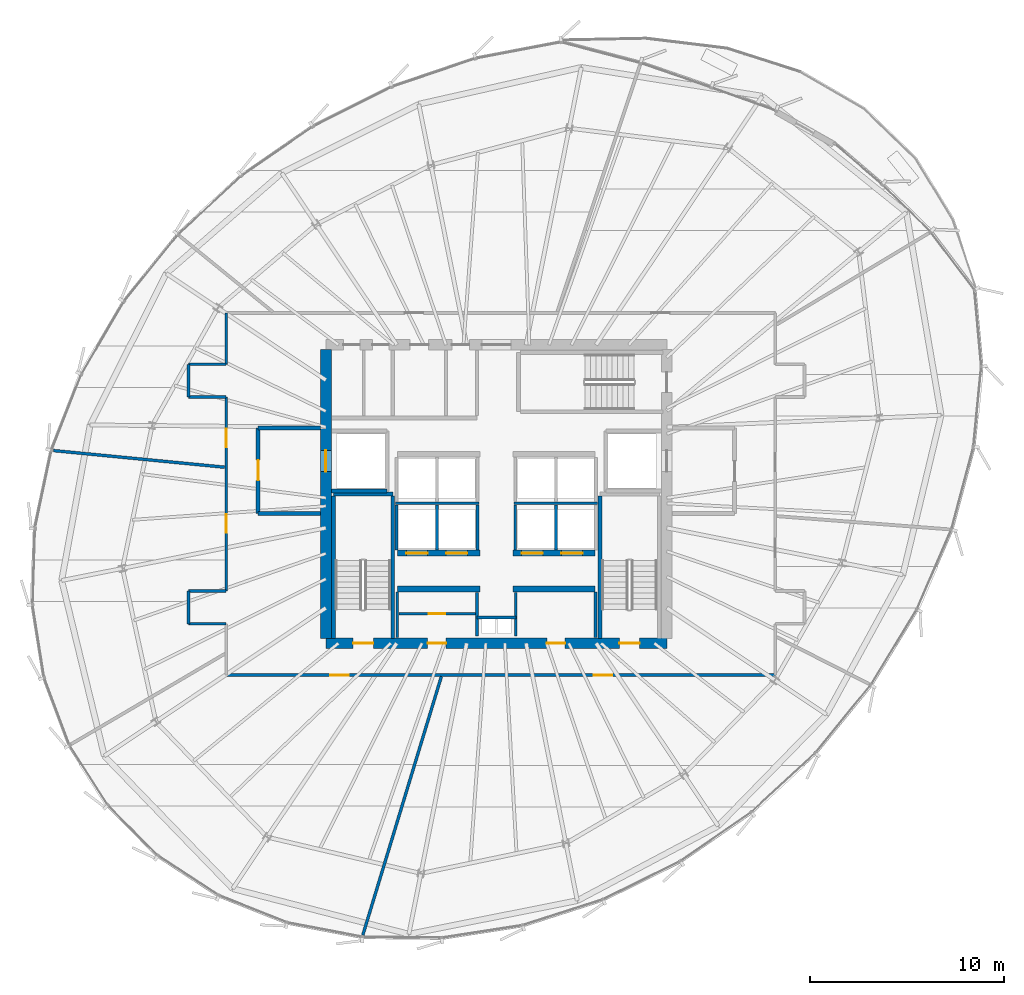
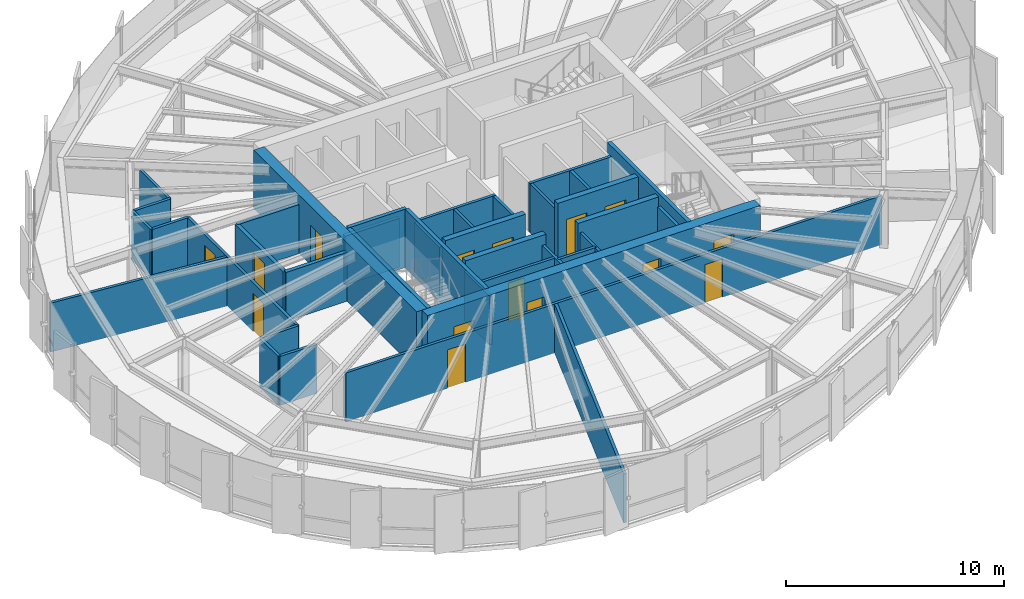
# One storey, part 29 of 34: 38 walls, 15 doors, 15 openings.
"""IFC4 building model written with IfcOpenShell, lengths in metres."""

import ifcopenshell
import ifcopenshell.guid

model = None  # the IFC model being written
_history = None  # IfcOwnerHistory: only IFC2X3 demands one
_inside = {}  # id of a spatial element -> (the spatial element, [elements in it])
_under = {}  # id of a project, library or spatial element -> (it, [spatial elements below it])
_declared = {}  # id of a project -> (the project, [libraries it declares])
_typed = {}  # id of a type object -> (the type object, [elements of that type])
_made_of = {}  # id of a material, layer set ... -> (it, [elements and type objects made of it])


def new_model(schema):
    """Start an empty IFC model of exactly this schema.

    Asked for "IFC4X3", IfcOpenShell would pick the latest addendum, in which some entities
    have other attributes; the version numbers below select the first issue.
    IFC2X3 requires an IfcOwnerHistory on every rooted entity: one is made here for all.
    """
    global model, _history
    if schema == "IFC4X3":
        model = ifcopenshell.file(schema_version=(4, 3, 0, 0))
    else:
        model = ifcopenshell.file(schema=schema)
    _inside.clear()
    _under.clear()
    _declared.clear()
    _typed.clear()
    _made_of.clear()
    _history = None
    if model.schema == "IFC2X3":
        org = make("IfcOrganization", Name="unknown")
        user = make(
            "IfcPersonAndOrganization",
            ThePerson=make("IfcPerson", FamilyName="unknown"),
            TheOrganization=org,
        )
        app = make(
            "IfcApplication",
            ApplicationDeveloper=org,
            Version="unknown",
            ApplicationFullName="unknown",
            ApplicationIdentifier="unknown",
        )
        _history = make(
            "IfcOwnerHistory",
            OwningUser=user,
            OwningApplication=app,
            ChangeAction="ADDED",
            CreationDate=0,
        )
    return model


def make(cls, **values):
    """One entity of the class cls with the attributes given. An attribute that is None is left unset."""
    return model.create_entity(
        cls, **{name: value for name, value in values.items() if value is not None}
    )


def rooted(cls, **values):
    """An entity with a GlobalId (a new one), such as an element, a storey or a relation."""
    return make(cls, GlobalId=ifcopenshell.guid.new(), OwnerHistory=_history, **values)


def si_unit(unit_type, name, prefix=None):
    """IfcSIUnit, for example si_unit("LENGTHUNIT", "METRE", prefix="MILLI")."""
    return make("IfcSIUnit", UnitType=unit_type, Prefix=prefix, Name=name)


def assignment(units):
    """IfcUnitAssignment: the units of a project."""
    return None if units is None else make("IfcUnitAssignment", Units=units)


def point(xyz):
    """IfcCartesianPoint."""
    return None if xyz is None else make("IfcCartesianPoint", Coordinates=xyz)


def direction(xyz):
    """IfcDirection."""
    return None if xyz is None else make("IfcDirection", DirectionRatios=xyz)


def frame(location, z_axis=None, x_axis=None):
    """IfcAxis2Placement3D, a coordinate frame: its origin and axes. An axis left out is left unset."""
    return make(
        "IfcAxis2Placement3D",
        Location=point(location),
        Axis=direction(z_axis),
        RefDirection=direction(x_axis),
    )


def frame_2d(location, x_axis=None):
    """IfcAxis2Placement2D, a coordinate frame in the plane: its origin and x axis."""
    return make(
        "IfcAxis2Placement2D", Location=point(location), RefDirection=direction(x_axis)
    )


def origin():
    """The frame at (0, 0, 0) with its axes left unset."""
    return frame((0.0, 0.0, 0.0))


def place(relative_to, where):
    """IfcLocalPlacement: puts the frame where relative to a parent placement (None: the world)."""
    return make(
        "IfcLocalPlacement", PlacementRelTo=relative_to, RelativePlacement=where
    )


def context(
    kind, dimensions, precision=None, world=None, true_north=None, identifier=None
):
    """IfcGeometricRepresentationContext, for example the 3D "Model" context."""
    return make(
        "IfcGeometricRepresentationContext",
        ContextIdentifier=identifier,
        ContextType=kind,
        CoordinateSpaceDimension=dimensions,
        Precision=precision,
        WorldCoordinateSystem=world,
        TrueNorth=true_north,
    )


def subcontext(parent, identifier, kind, view, scale=None):
    """IfcGeometricRepresentationSubContext, for example "Body" below "Model"."""
    return make(
        "IfcGeometricRepresentationSubContext",
        ContextIdentifier=identifier,
        ContextType=kind,
        ParentContext=parent,
        TargetScale=scale,
        TargetView=view,
    )


def project(units=None, contexts=None):
    """IfcProject with its units and contexts."""
    return rooted(
        "IfcProject",
        Name="project",
        RepresentationContexts=contexts,
        UnitsInContext=assignment(units),
    )


def spatial(cls, under=None, at=None, **own):
    """A site, building, storey or space (cls), placed at a placement, below another one or the project."""
    s = rooted(cls, ObjectPlacement=at, **own)
    if under is not None:
        _under.setdefault(under.id(), (under, []))[1].append(s)
    return s


def profile(cls, at=None, kind="AREA", **sizes):
    """A parametric profile (cls). Its sizes go by their IFC names, for example OverallWidth=200.0."""
    return make(cls, ProfileType=kind, Position=at, **sizes)


def rectangle(**sizes):
    """IfcRectangleProfileDef."""
    return profile("IfcRectangleProfileDef", **sizes)


def extrude(swept, where, along, depth):
    """IfcExtrudedAreaSolid: the profile swept, set in the frame where, extruded along a direction by depth."""
    return make(
        "IfcExtrudedAreaSolid",
        SweptArea=swept,
        Position=where,
        ExtrudedDirection=direction(along),
        Depth=depth,
    )


def shape(context_of_items, identifier, shape_type, items):
    """IfcShapeRepresentation: the items that make up one representation, for example the "Body"."""
    return make(
        "IfcShapeRepresentation",
        ContextOfItems=context_of_items,
        RepresentationIdentifier=identifier,
        RepresentationType=shape_type,
        Items=items,
    )


def source(mapping_origin, context_of_items, identifier, shape_type, items):
    """IfcRepresentationMap: a shape defined once, which mapped items show again and again."""
    return make(
        "IfcRepresentationMap",
        MappingOrigin=mapping_origin,
        MappedRepresentation=shape(context_of_items, identifier, shape_type, items),
    )


def transform(
    local_origin,
    x_axis=None,
    y_axis=None,
    z_axis=None,
    scale=None,
    scale2=None,
    scale3=None,
    uniform=True,
):
    """IfcCartesianTransformationOperator3D, or its non-uniform kind. x_axis, y_axis, z_axis: its Axis1, 2, 3."""
    if uniform:
        return make(
            "IfcCartesianTransformationOperator3D",
            Axis1=direction(x_axis),
            Axis2=direction(y_axis),
            LocalOrigin=point(local_origin),
            Scale=scale,
            Axis3=direction(z_axis),
        )
    return make(
        "IfcCartesianTransformationOperator3DnonUniform",
        Axis1=direction(x_axis),
        Axis2=direction(y_axis),
        LocalOrigin=point(local_origin),
        Scale=scale,
        Axis3=direction(z_axis),
        Scale2=scale2,
        Scale3=scale3,
    )


def mapped(mapping_source, mapping_target):
    """IfcMappedItem: shows the shape of a source again, moved by a transform."""
    return make(
        "IfcMappedItem", MappingSource=mapping_source, MappingTarget=mapping_target
    )


def material(Name=None, Category=None):
    """IfcMaterial."""
    return make("IfcMaterial", Name=Name, Category=Category)


def layer(
    of_material, thickness, ventilated=None, Name=None, Category=None, Priority=None
):
    """IfcMaterialLayer: one layer of a wall or slab, of a material (None: an air gap)."""
    return make(
        "IfcMaterialLayer",
        Material=of_material,
        LayerThickness=thickness,
        IsVentilated=ventilated,
        Name=Name,
        Category=Category,
        Priority=Priority,
    )


def layer_set(layers, Name=None):
    """IfcMaterialLayerSet."""
    return make("IfcMaterialLayerSet", MaterialLayers=layers, LayerSetName=Name)


def made_of(thing, what):
    """Note that an element or type object is made of a material, layer set ...; save() writes the relation."""
    if what is not None:
        _made_of.setdefault(what.id(), (what, []))[1].append(thing)
    return thing


def type_object(cls, material=None, **own):
    """A type object (cls), such as IfcWallType, which elements share."""
    return made_of(rooted(cls, **own), material)


def element(
    cls,
    number,
    at=None,
    inside=None,
    cuts=None,
    type_object=None,
    material=None,
    context=None,
    identifier="Body",
    shape_type=None,
    held_by="IfcProductDefinitionShape",
    body=None,
    shapes=None,
    **own,
):
    """One element of the class cls, such as IfcWall. Its Tag is "e" and its number.

    at: its placement. inside: the storey or other place that contains it. cuts: it is an
    opening in that element (IfcRelVoidsElement). A single representation is given by context,
    identifier, shape_type and body (its items); several are given by shapes. held_by: the class
    of the entity that holds the representations. save() writes the other relations.
    """
    e = rooted(cls, Tag="e%d" % number, ObjectPlacement=at, **own)
    if body is not None:
        shapes = [shape(context, identifier, shape_type, body)]
    if shapes is not None:
        e.Representation = make(held_by, Representations=shapes)
    if inside is not None:
        _inside.setdefault(inside.id(), (inside, []))[1].append(e)
    if cuts is not None:
        rooted(
            "IfcRelVoidsElement", RelatingBuildingElement=cuts, RelatedOpeningElement=e
        )
    if type_object is not None:
        _typed.setdefault(type_object.id(), (type_object, []))[1].append(e)
    return made_of(e, material)


def fill(opening, filler):
    """IfcRelFillsElement: the door or window that sits in an opening."""
    return rooted(
        "IfcRelFillsElement",
        RelatingOpeningElement=opening,
        RelatedBuildingElement=filler,
    )


def aggregate(whole, parts):
    """IfcRelAggregates: a whole, such as a stair, and the parts it consists of."""
    return rooted("IfcRelAggregates", RelatingObject=whole, RelatedObjects=parts)


def save(model, path):
    """Write the relations noted so far, then the file.

    IfcRelAggregates (storeys below a building ...), IfcRelContainedInSpatialStructure (elements
    in a storey), IfcRelDefinesByType, IfcRelAssociatesMaterial and IfcRelDeclares: one each for
    every whole, place, type object, material and project.
    """
    for whole, parts in _under.values():
        aggregate(whole, parts)
    for where, things in _inside.values():
        rooted(
            "IfcRelContainedInSpatialStructure",
            RelatedElements=things,
            RelatingStructure=where,
        )
    for kind, things in _typed.values():
        rooted("IfcRelDefinesByType", RelatedObjects=things, RelatingType=kind)
    for what, things in _made_of.values():
        rooted("IfcRelAssociatesMaterial", RelatedObjects=things, RelatingMaterial=what)
    for by, libraries in _declared.values():
        rooted("IfcRelDeclares", RelatingContext=by, RelatedDefinitions=libraries)
    model.write(path)


model = new_model("IFC4")

# Units and contexts
model_context = context("Model", 3, precision=1e-05, world=origin(), true_north=direction((0.0, 1.0)))
body_context = subcontext(model_context, "Body", "Model", "MODEL_VIEW")
ifc_project = project(units=[si_unit("LENGTHUNIT", "METRE"), si_unit("AREAUNIT", "SQUARE_METRE"), si_unit("VOLUMEUNIT", "CUBIC_METRE"), si_unit("PLANEANGLEUNIT", "RADIAN"), si_unit("MASSUNIT", "GRAM", prefix="KILO"), si_unit("THERMODYNAMICTEMPERATUREUNIT", "KELVIN")], contexts=[model_context])

# Site, building, storey
site_placement = place(None, origin())
site = spatial("IfcSite", under=ifc_project, at=site_placement, CompositionType="ELEMENT")
building_placement = place(site_placement, origin())
building = spatial("IfcBuilding", under=site, at=building_placement, Name="Kethvar Cultural Tower", CompositionType="ELEMENT")
storey_placement = place(building_placement, frame((0.0, 0.0, 190.39990234375)))
storey = spatial("IfcBuildingStorey", under=building, at=storey_placement, Name="L49", CompositionType="ELEMENT", Elevation=190.39990234375)

# Wall, openings, doors
ifc_material_1 = material(Name="Concrete C60/75", Category="concrete")
ifc_layer_1 = layer(ifc_material_1, 0.550048828125, Name="Concrete C60/75", Category="concrete")
ifc_layer_set_1 = layer_set([ifc_layer_1], Name="Concrete C60/75 (550 mm)")
wall_type_1 = type_object("IfcWallType", Name="WL-CORE-550", PredefinedType="SHEAR", material=ifc_layer_set_1)
wall_1_placement = place(storey_placement, frame((38.0, 20.10009765625, 0.0), z_axis=(0.0, 0.0, 1.0), x_axis=(1.0, 0.0, 0.0)))
wall_1 = element("IfcWall", 1, at=wall_1_placement, inside=storey, type_object=wall_type_1, Name="L49 Core Shear Wall S", PredefinedType="SHEAR", context=body_context, shape_type="SweptSolid", body=[
    extrude(rectangle(XDim=17.60009765625, YDim=0.550048828125, at=frame_2d((8.800048828125, 0.0))), origin(), (0.0, 0.0, 1.0), 3.260009765625),
])
opening_1_placement = place(wall_1_placement, frame((1.39990234375, 0.0, 0.0)))
opening_1 = element("IfcOpeningElement", 2, at=opening_1_placement, cuts=wall_1, Name="Opening D-L49-S1", PredefinedType="OPENING", context=body_context, shape_type="SweptSolid", body=[
    extrude(rectangle(XDim=1.050048828125, YDim=2.14990234375, at=frame_2d((0.52490234375, 1.074951171875))), frame((0.0, 0.284912109375, 0.0), z_axis=(0.0, -1.0, 0.0), x_axis=(1.0, 0.0, 0.0)), (0.0, 0.0, 1.0), 0.570068359375),
])
opening_2_placement = place(wall_1_placement, frame((15.14990234375, 0.0, 0.0)))
opening_2 = element("IfcOpeningElement", 3, at=opening_2_placement, cuts=wall_1, Name="Opening D-L49-ST2", PredefinedType="OPENING", context=body_context, shape_type="SweptSolid", body=[
    extrude(rectangle(XDim=1.050048828125, YDim=2.14990234375, at=frame_2d((0.52490234375, 1.074951171875))), frame((0.0, 0.284912109375, 0.0), z_axis=(0.0, -1.0, 0.0), x_axis=(1.0, 0.0, 0.0)), (0.0, 0.0, 1.0), 0.570068359375),
])
opening_3_placement = place(wall_1_placement, frame((5.25, 0.0, 0.0)))
opening_3 = element("IfcOpeningElement", 4, at=opening_3_placement, cuts=wall_1, Name="Opening D-L49-V1", PredefinedType="OPENING", context=body_context, shape_type="SweptSolid", body=[
    extrude(rectangle(XDim=0.949951171875, YDim=2.14990234375, at=frame_2d((0.47509765625, 1.074951171875))), frame((0.0, 0.284912109375, 0.0), z_axis=(0.0, -1.0, 0.0), x_axis=(1.0, 0.0, 0.0)), (0.0, 0.0, 1.0), 0.570068359375),
])
opening_4_placement = place(wall_1_placement, frame((11.39990234375, 0.0, 0.0)))
opening_4 = element("IfcOpeningElement", 5, at=opening_4_placement, cuts=wall_1, Name="Opening D-L49-V2", PredefinedType="OPENING", context=body_context, shape_type="SweptSolid", body=[
    extrude(rectangle(XDim=0.949951171875, YDim=2.14990234375, at=frame_2d((0.47509765625, 1.074951171875))), frame((0.0, 0.284912109375, 0.0), z_axis=(0.0, -1.0, 0.0), x_axis=(1.0, 0.0, 0.0)), (0.0, 0.0, 1.0), 0.570068359375),
])
ifc_material_2 = material(Name="Steel S355J2", Category="steel")
door_type_1 = type_object("IfcDoorType", Name="DR-FD60-1050", OperationType="NOTDEFINED", PredefinedType="DOOR", material=ifc_material_2)
shared_shape_1 = source(origin(), body_context, "Body", "SweptSolid", [
    extrude(rectangle(XDim=1.050048828125, YDim=2.14990234375, at=frame_2d((0.52490234375, 1.074951171875))), frame((0.0, 0.02490234375, 0.0), z_axis=(0.0, -1.0, 0.0), x_axis=(1.0, 0.0, 0.0)), (0.0, 0.0, 1.0), 0.050048828125),
])
door_1_placement = place(opening_1_placement, origin())
door_1 = element("IfcDoor", 6, at=door_1_placement, inside=storey, type_object=door_type_1, Name="L49 Exit Stair 1 Door", OperationType="SINGLE_SWING_LEFT", OverallHeight=2.14990234375, OverallWidth=1.050048828125, PredefinedType="DOOR", context=body_context, shape_type="MappedRepresentation", body=[
    mapped(shared_shape_1, transform((0.0, 0.0, 0.0), scale=1.0)),
])
fill(opening_1, door_1)
door_2_placement = place(opening_2_placement, origin())
door_2 = element("IfcDoor", 7, at=door_2_placement, inside=storey, type_object=door_type_1, Name="L49 Exit Stair 2 Door", OperationType="SINGLE_SWING_RIGHT", OverallHeight=2.14990234375, OverallWidth=1.050048828125, PredefinedType="DOOR", context=body_context, shape_type="MappedRepresentation", body=[
    mapped(shared_shape_1, transform((0.0, 0.0, 0.0), scale=1.0)),
])
fill(opening_2, door_2)
ifc_material_3 = material(Name="Architectural Oak Timber", Category="wood")
door_type_2 = type_object("IfcDoorType", Name="DR-FD30-950", OperationType="NOTDEFINED", PredefinedType="DOOR", material=ifc_material_3)
shared_shape_2 = source(origin(), body_context, "Body", "SweptSolid", [
    extrude(rectangle(XDim=0.949951171875, YDim=2.14990234375, at=frame_2d((0.47509765625, 1.074951171875))), frame((0.0, 0.02490234375, 0.0), z_axis=(0.0, -1.0, 0.0), x_axis=(1.0, 0.0, 0.0)), (0.0, 0.0, 1.0), 0.050048828125),
])
door_3_placement = place(opening_3_placement, origin())
door_3 = element("IfcDoor", 8, at=door_3_placement, inside=storey, type_object=door_type_2, Name="L49 Reclaimed West South Door", OperationType="SINGLE_SWING_LEFT", OverallHeight=2.14990234375, OverallWidth=0.949951171875, PredefinedType="DOOR", context=body_context, shape_type="MappedRepresentation", body=[
    mapped(shared_shape_2, transform((0.0, 0.0, 0.0), scale=1.0)),
])
fill(opening_3, door_3)
door_4_placement = place(opening_4_placement, origin())
door_4 = element("IfcDoor", 9, at=door_4_placement, inside=storey, type_object=door_type_2, Name="L49 Reclaimed East Server Door", OperationType="SINGLE_SWING_RIGHT", OverallHeight=2.14990234375, OverallWidth=0.949951171875, PredefinedType="DOOR", context=body_context, shape_type="MappedRepresentation", body=[
    mapped(shared_shape_2, transform((0.0, 0.0, 0.0), scale=1.0)),
])
fill(opening_4, door_4)

# Wall, opening, door
wall_2_placement = place(storey_placement, frame((38.0, 35.260009765625, 0.0), z_axis=(0.0, 0.0, 1.0), x_axis=(0.0, -1.0, 0.0)))
wall_2 = element("IfcWall", 10, at=wall_2_placement, inside=storey, type_object=wall_type_1, Name="L49 Core Shear Wall W", PredefinedType="SHEAR", context=body_context, shape_type="SweptSolid", body=[
    extrude(rectangle(XDim=14.919921875, YDim=0.550048828125, at=frame_2d((7.4599609375, 0.0))), origin(), (0.0, 0.0, 1.0), 3.260009765625),
])
opening_5_placement = place(wall_2_placement, frame((5.2099609375, 0.0, 0.0)))
opening_5 = element("IfcOpeningElement", 11, at=opening_5_placement, cuts=wall_2, Name="Opening LD-1", PredefinedType="OPENING", context=body_context, shape_type="SweptSolid", body=[
    extrude(rectangle(XDim=1.10009765625, YDim=2.199951171875, at=frame_2d((0.550048828125, 1.10009765625))), frame((0.0, 0.284912109375, 0.0), z_axis=(0.0, -1.0, 0.0), x_axis=(1.0, 0.0, 0.0)), (0.0, 0.0, 1.0), 0.570068359375),
])
door_type_3 = type_object("IfcDoorType", Name="DR-LIFT-SLIDE-1100", OperationType="NOTDEFINED", PredefinedType="DOOR", material=ifc_material_2)
shared_shape_3 = source(origin(), body_context, "Body", "SweptSolid", [
    extrude(rectangle(XDim=1.10009765625, YDim=2.199951171875, at=frame_2d((0.550048828125, 1.10009765625))), frame((0.0, 0.02490234375, 0.0), z_axis=(0.0, -1.0, 0.0), x_axis=(1.0, 0.0, 0.0)), (0.0, 0.0, 1.0), 0.050048828125),
])
door_5_placement = place(opening_5_placement, origin())
door_5 = element("IfcDoor", 12, at=door_5_placement, inside=storey, type_object=door_type_3, Name="L49 Firefighting Lift Landing Door FFL-01", OperationType="SLIDING_TO_LEFT", OverallHeight=2.199951171875, OverallWidth=1.10009765625, PredefinedType="DOOR", context=body_context, shape_type="MappedRepresentation", body=[
    mapped(shared_shape_3, transform((0.0, 0.0, 0.0), scale=1.0)),
])
fill(opening_5, door_5)

# Walls
ifc_material_4 = material(Name="Gypsum Fireboard Partition")
ifc_layer_2 = layer(ifc_material_4, 0.14990234375, Name="Gypsum Fireboard Partition")
ifc_layer_set_2 = layer_set([ifc_layer_2], Name="Gypsum Fireboard Partition (150 mm)")
wall_type_2 = type_object("IfcWallType", Name="WL-FIRE-150", PredefinedType="PARTITIONING", material=ifc_layer_set_2)
wall_3_placement = place(storey_placement, frame((45.800048828125, 21.419921875, 0.0), z_axis=(0.0, 0.0, 1.0), x_axis=(1.0, 0.0, 0.0)))
element("IfcWall", 13, at=wall_3_placement, inside=storey, type_object=wall_type_2, Name="L49 Core Riser Wall", PredefinedType="PARTITIONING", context=body_context, shape_type="SweptSolid", body=[
    extrude(rectangle(XDim=2.0, YDim=0.14990234375, at=frame_2d((1.0, 0.0))), origin(), (0.0, 0.0, 1.0), 2.735107421875),
])
for number, where, z_axis, x_axis, name in (
    (14, (45.800048828125, 20.47998046875, 0.0), (0.0, 0.0, 1.0), (0.0, 1.0, 0.0), "L49 Core Riser West Wall"),
    (15, (47.800048828125, 20.47998046875, 0.0), (0.0, 0.0, 1.0), (0.0, 1.0, 0.0), "L49 Core Riser East Wall"),
):
    element("IfcWall", number, at=place(storey_placement, frame(where, z_axis=z_axis, x_axis=x_axis)), inside=storey, type_object=wall_type_2, Name=name, PredefinedType="PARTITIONING", context=body_context, shape_type="SweptSolid", body=[
        extrude(rectangle(XDim=2.239990234375, YDim=0.14990234375, at=frame_2d((1.1201171875, 0.0))), origin(), (0.0, 0.0, 1.0), 2.735107421875),
    ])
for number, where, z_axis, x_axis, name in (
    (16, (41.679931640625, 20.385009765625, 0.0), (0.0, 0.0, 1.0), (0.0, 1.0, 0.0), "L49 Reclaimed West Outer Wall"),
    (17, (51.919921875, 20.385009765625, 0.0), (0.0, 0.0, 1.0), (0.0, 1.0, 0.0), "L49 Reclaimed East Outer Wall"),
):
    element("IfcWall", number, at=place(storey_placement, frame(where, z_axis=z_axis, x_axis=x_axis)), inside=storey, type_object=wall_type_2, Name=name, PredefinedType="PARTITIONING", context=body_context, shape_type="SweptSolid", body=[
        extrude(rectangle(XDim=2.344970703125, YDim=0.14990234375, at=frame_2d((1.17236328125, 0.0))), origin(), (0.0, 0.0, 1.0), 2.735107421875),
    ])

# Wall, opening, door
wall_4_placement = place(storey_placement, frame((41.760009765625, 21.6201171875, 0.0), z_axis=(0.0, 0.0, 1.0), x_axis=(1.0, 0.0, 0.0)))
wall_4 = element("IfcWall", 18, at=wall_4_placement, inside=storey, type_object=wall_type_2, Name="L49 Vault Gallery Wall W", PredefinedType="PARTITIONING", context=body_context, shape_type="SweptSolid", body=[
    extrude(rectangle(XDim=3.9599609375, YDim=0.14990234375, at=frame_2d((1.97998046875, 0.0))), origin(), (0.0, 0.0, 1.0), 2.735107421875),
])
opening_6_placement = place(wall_4_placement, frame((1.550048828125, 0.0, 0.0)))
opening_6 = element("IfcOpeningElement", 19, at=opening_6_placement, cuts=wall_4, Name="Opening D-L49-V3", PredefinedType="OPENING", context=body_context, shape_type="SweptSolid", body=[
    extrude(rectangle(XDim=0.85009765625, YDim=2.14990234375, at=frame_2d((0.425048828125, 1.074951171875))), frame((0.0, 0.0849609375, 0.0), z_axis=(0.0, -1.0, 0.0), x_axis=(1.0, 0.0, 0.0)), (0.0, 0.0, 1.0), 0.169921875),
])
door_type_4 = type_object("IfcDoorType", Name="DR-FD30-850", OperationType="NOTDEFINED", PredefinedType="DOOR", material=ifc_material_2)
shared_shape_4 = source(origin(), body_context, "Body", "SweptSolid", [
    extrude(rectangle(XDim=0.85009765625, YDim=2.14990234375, at=frame_2d((0.425048828125, 1.074951171875))), frame((0.0, 0.02490234375, 0.0), z_axis=(0.0, -1.0, 0.0), x_axis=(1.0, 0.0, 0.0)), (0.0, 0.0, 1.0), 0.050048828125),
])
door_6_placement = place(opening_6_placement, origin())
door_6 = element("IfcDoor", 20, at=door_6_placement, inside=storey, type_object=door_type_4, Name="L49 Inner Vault Gallery Door", OperationType="SINGLE_SWING_LEFT", OverallHeight=2.14990234375, OverallWidth=0.85009765625, PredefinedType="DOOR", context=body_context, shape_type="MappedRepresentation", body=[
    mapped(shared_shape_4, transform((0.0, 0.0, 0.0), scale=1.0)),
])
fill(opening_6, door_6)

# Walls
wall_5_placement = place(storey_placement, frame((41.580078125, 27.324951171875, 0.0), z_axis=(0.0, 0.0, 1.0), x_axis=(1.0, 0.0, 0.0)))
element("IfcWall", 21, at=wall_5_placement, inside=storey, type_object=wall_type_2, Name="L49 Mid-High Lift Shaft Back Wall W", PredefinedType="PARTITIONING", context=body_context, shape_type="SweptSolid", body=[
    extrude(rectangle(XDim=4.31982421875, YDim=0.14990234375, at=frame_2d((2.159912109375, 0.0))), origin(), (0.0, 0.0, 1.0), 2.735107421875),
])
wall_6_placement = place(storey_placement, frame((47.699951171875, 27.324951171875, 0.0), z_axis=(0.0, 0.0, 1.0), x_axis=(1.0, 0.0, 0.0)))
element("IfcWall", 22, at=wall_6_placement, inside=storey, type_object=wall_type_2, Name="L49 Mid-High Lift Shaft Back Wall E", PredefinedType="PARTITIONING", context=body_context, shape_type="SweptSolid", body=[
    extrude(rectangle(XDim=4.320068359375, YDim=0.14990234375, at=frame_2d((2.16015625, 0.0))), origin(), (0.0, 0.0, 1.0), 2.735107421875),
])
for number, where, z_axis, x_axis, name in (
    (23, (41.64990234375, 24.919921875, 0.0), (0.0, 0.0, 1.0), (0.0, 1.0, 0.0), "L49 Mid-Rise Lift Shaft Outer Wall W"),
    (24, (43.72509765625, 24.919921875, 0.0), (0.0, 0.0, 1.0), (0.0, 1.0, 0.0), "L49 Mid-Rise Lift Shaft Divider W"),
    (25, (45.824951171875, 24.919921875, 0.0), (0.0, 0.0, 1.0), (0.0, 1.0, 0.0), "L49 Mid-Rise Lift Shaft Concourse Wall W"),
    (26, (47.77490234375, 24.919921875, 0.0), (0.0, 0.0, 1.0), (0.0, 1.0, 0.0), "L49 Mid-Rise Lift Shaft Concourse Wall E"),
    (27, (49.875, 24.919921875, 0.0), (0.0, 0.0, 1.0), (0.0, 1.0, 0.0), "L49 Mid-Rise Lift Shaft Divider E"),
):
    element("IfcWall", number, at=place(storey_placement, frame(where, z_axis=z_axis, x_axis=x_axis)), inside=storey, type_object=wall_type_2, Name=name, PredefinedType="PARTITIONING", context=body_context, shape_type="SweptSolid", body=[
        extrude(rectangle(XDim=2.320068359375, YDim=0.14990234375, at=frame_2d((1.16015625, 0.0))), origin(), (0.0, 0.0, 1.0), 2.735107421875),
    ])

# Wall, openings, doors
wall_7_placement = place(storey_placement, frame((32.85009765625, 18.449951171875, 0.0), z_axis=(0.0, 0.0, 1.0), x_axis=(1.0, 0.0, 0.0)))
wall_7 = element("IfcWall", 28, at=wall_7_placement, inside=storey, type_object=wall_type_2, Name="L49 Corridor Rated Wall S", PredefinedType="PARTITIONING", context=body_context, shape_type="SweptSolid", body=[
    extrude(rectangle(XDim=28.349853515625, YDim=0.14990234375, at=frame_2d((14.1748046875, 0.0))), origin(), (0.0, 0.0, 1.0), 2.735107421875),
])
opening_7_placement = place(wall_7_placement, frame((5.380615234375, 0.0, 0.0)))
opening_7 = element("IfcOpeningElement", 29, at=opening_7_placement, cuts=wall_7, Name="Opening D-L49-01", PredefinedType="OPENING", context=body_context, shape_type="SweptSolid", body=[
    extrude(rectangle(XDim=0.949951171875, YDim=2.14990234375, at=frame_2d((0.47509765625, 1.074951171875))), frame((0.0, 0.0849609375, 0.0), z_axis=(0.0, -1.0, 0.0), x_axis=(1.0, 0.0, 0.0)), (0.0, 0.0, 1.0), 0.169921875),
])
opening_8_placement = place(wall_7_placement, frame((18.969482421875, 0.0, 0.0)))
opening_8 = element("IfcOpeningElement", 30, at=opening_8_placement, cuts=wall_7, Name="Opening D-L49-02", PredefinedType="OPENING", context=body_context, shape_type="SweptSolid", body=[
    extrude(rectangle(XDim=0.949951171875, YDim=2.14990234375, at=frame_2d((0.47509765625, 1.074951171875))), frame((0.0, 0.0849609375, 0.0), z_axis=(0.0, -1.0, 0.0), x_axis=(1.0, 0.0, 0.0)), (0.0, 0.0, 1.0), 0.169921875),
])
door_7_placement = place(opening_7_placement, origin())
door_7 = element("IfcDoor", 31, at=door_7_placement, inside=storey, type_object=door_type_2, Name="L49 Contemporary Art Salon 01 Door", OperationType="SINGLE_SWING_RIGHT", OverallHeight=2.14990234375, OverallWidth=0.949951171875, PredefinedType="DOOR", context=body_context, shape_type="MappedRepresentation", body=[
    mapped(shared_shape_2, transform((0.0, 0.0, 0.0), scale=1.0)),
])
fill(opening_7, door_7)
door_8_placement = place(opening_8_placement, origin())
door_8 = element("IfcDoor", 32, at=door_8_placement, inside=storey, type_object=door_type_2, Name="L49 Main Public Reading Library 02 Door", OperationType="SINGLE_SWING_LEFT", OverallHeight=2.14990234375, OverallWidth=0.949951171875, PredefinedType="DOOR", context=body_context, shape_type="MappedRepresentation", body=[
    mapped(shared_shape_2, transform((0.0, 0.0, 0.0), scale=1.0)),
])
fill(opening_8, door_8)

# Walls
wall_8_placement = place(storey_placement, frame((32.85009765625, 37.14990234375, 0.0), z_axis=(0.0, 0.0, 1.0), x_axis=(0.0, -1.0, 0.0)))
element("IfcWall", 33, at=wall_8_placement, inside=storey, type_object=wall_type_2, Name="L49 Corridor Rated Wall W2", PredefinedType="PARTITIONING", context=body_context, shape_type="SweptSolid", body=[
    extrude(rectangle(XDim=2.64990234375, YDim=0.14990234375, at=frame_2d((1.324951171875, 0.0))), origin(), (0.0, 0.0, 1.0), 2.735107421875),
])
wall_9_placement = place(storey_placement, frame((32.85009765625, 34.5, 0.0), z_axis=(0.0, 0.0, 1.0), x_axis=(-1.0, 0.0, 0.0)))
element("IfcWall", 34, at=wall_9_placement, inside=storey, type_object=wall_type_2, Name="L49 Corridor Rated Wall WNT", PredefinedType="PARTITIONING", context=body_context, shape_type="SweptSolid", body=[
    extrude(rectangle(XDim=1.9501953125, YDim=0.14990234375, at=frame_2d((0.97509765625, 0.0))), origin(), (0.0, 0.0, 1.0), 2.735107421875),
])
wall_10_placement = place(storey_placement, frame((30.89990234375, 34.5, 0.0), z_axis=(0.0, 0.0, 1.0), x_axis=(0.0, -1.0, 0.0)))
element("IfcWall", 35, at=wall_10_placement, inside=storey, type_object=wall_type_2, Name="L49 Corridor Rated Wall WN", PredefinedType="PARTITIONING", context=body_context, shape_type="SweptSolid", body=[
    extrude(rectangle(XDim=1.699951171875, YDim=0.14990234375, at=frame_2d((0.85009765625, 0.0))), origin(), (0.0, 0.0, 1.0), 2.735107421875),
])
wall_11_placement = place(storey_placement, frame((30.89990234375, 32.800048828125, 0.0), z_axis=(0.0, 0.0, 1.0), x_axis=(1.0, 0.0, 0.0)))
element("IfcWall", 36, at=wall_11_placement, inside=storey, type_object=wall_type_2, Name="L49 Corridor Rated Wall WNB", PredefinedType="PARTITIONING", context=body_context, shape_type="SweptSolid", body=[
    extrude(rectangle(XDim=1.9501953125, YDim=0.14990234375, at=frame_2d((0.97509765625, 0.0))), origin(), (0.0, 0.0, 1.0), 2.735107421875),
])

# Wall, openings, doors
wall_12_placement = place(storey_placement, frame((32.85009765625, 32.800048828125, 0.0), z_axis=(0.0, 0.0, 1.0), x_axis=(0.0, -1.0, 0.0)))
wall_12 = element("IfcWall", 37, at=wall_12_placement, inside=storey, type_object=wall_type_2, Name="L49 Corridor Rated Wall WM", PredefinedType="PARTITIONING", context=body_context, shape_type="SweptSolid", body=[
    extrude(rectangle(XDim=10.0, YDim=0.14990234375, at=frame_2d((5.0, 0.0))), origin(), (0.0, 0.0, 1.0), 2.735107421875),
])
opening_9_placement = place(wall_12_placement, frame((1.627197265625, 0.0, 0.0)))
opening_9 = element("IfcOpeningElement", 38, at=opening_9_placement, cuts=wall_12, Name="Opening D-L49-07", PredefinedType="OPENING", context=body_context, shape_type="SweptSolid", body=[
    extrude(rectangle(XDim=0.949951171875, YDim=2.14990234375, at=frame_2d((0.47509765625, 1.074951171875))), frame((0.0, 0.0849609375, 0.0), z_axis=(0.0, -1.0, 0.0), x_axis=(1.0, 0.0, 0.0)), (0.0, 0.0, 1.0), 0.169921875),
])
opening_10_placement = place(wall_12_placement, frame((6.04638671875, 0.0, 0.0)))
opening_10 = element("IfcOpeningElement", 39, at=opening_10_placement, cuts=wall_12, Name="Opening D-L49-08", PredefinedType="OPENING", context=body_context, shape_type="SweptSolid", body=[
    extrude(rectangle(XDim=0.949951171875, YDim=2.14990234375, at=frame_2d((0.47509765625, 1.074951171875))), frame((0.0, 0.0849609375, 0.0), z_axis=(0.0, -1.0, 0.0), x_axis=(1.0, 0.0, 0.0)), (0.0, 0.0, 1.0), 0.169921875),
])
door_9_placement = place(opening_9_placement, origin())
door_9 = element("IfcDoor", 40, at=door_9_placement, inside=storey, type_object=door_type_2, Name="L49 Institute Tea Pantry 07 Door", OperationType="SINGLE_SWING_RIGHT", OverallHeight=2.14990234375, OverallWidth=0.949951171875, PredefinedType="DOOR", context=body_context, shape_type="MappedRepresentation", body=[
    mapped(shared_shape_2, transform((0.0, 0.0, 0.0), scale=1.0)),
])
fill(opening_9, door_9)
door_10_placement = place(opening_10_placement, origin())
door_10 = element("IfcDoor", 41, at=door_10_placement, inside=storey, type_object=door_type_2, Name="L49 Manuscript Archive Store 08 Door", OperationType="SINGLE_SWING_LEFT", OverallHeight=2.14990234375, OverallWidth=0.949951171875, PredefinedType="DOOR", context=body_context, shape_type="MappedRepresentation", body=[
    mapped(shared_shape_2, transform((0.0, 0.0, 0.0), scale=1.0)),
])
fill(opening_10, door_10)

# Walls
wall_13_placement = place(storey_placement, frame((32.85009765625, 22.800048828125, 0.0), z_axis=(0.0, 0.0, 1.0), x_axis=(-1.0, 0.0, 0.0)))
element("IfcWall", 42, at=wall_13_placement, inside=storey, type_object=wall_type_2, Name="L49 Corridor Rated Wall WST", PredefinedType="PARTITIONING", context=body_context, shape_type="SweptSolid", body=[
    extrude(rectangle(XDim=1.9501953125, YDim=0.14990234375, at=frame_2d((0.97509765625, 0.0))), origin(), (0.0, 0.0, 1.0), 2.735107421875),
])
wall_14_placement = place(storey_placement, frame((30.89990234375, 22.800048828125, 0.0), z_axis=(0.0, 0.0, 1.0), x_axis=(0.0, -1.0, 0.0)))
element("IfcWall", 43, at=wall_14_placement, inside=storey, type_object=wall_type_2, Name="L49 Corridor Rated Wall WS", PredefinedType="PARTITIONING", context=body_context, shape_type="SweptSolid", body=[
    extrude(rectangle(XDim=1.699951171875, YDim=0.14990234375, at=frame_2d((0.85009765625, 0.0))), origin(), (0.0, 0.0, 1.0), 2.735107421875),
])
wall_15_placement = place(storey_placement, frame((30.89990234375, 21.10009765625, 0.0), z_axis=(0.0, 0.0, 1.0), x_axis=(1.0, 0.0, 0.0)))
element("IfcWall", 44, at=wall_15_placement, inside=storey, type_object=wall_type_2, Name="L49 Corridor Rated Wall WSB", PredefinedType="PARTITIONING", context=body_context, shape_type="SweptSolid", body=[
    extrude(rectangle(XDim=1.9501953125, YDim=0.14990234375, at=frame_2d((0.97509765625, 0.0))), origin(), (0.0, 0.0, 1.0), 2.735107421875),
])
ifc_material_5 = material(Name="Concrete C40/50", Category="concrete")
ifc_layer_3 = layer(ifc_material_5, 0.199951171875, Name="Concrete C40/50", Category="concrete")
ifc_layer_set_3 = layer_set([ifc_layer_3], Name="Concrete C40/50 (200 mm)")
wall_type_3 = type_object("IfcWallType", Name="WL-FIRE-200", PredefinedType="PARTITIONING", material=ifc_layer_set_3)
wall_16_placement = place(storey_placement, frame((38.284912109375, 27.949951171875, 0.0), z_axis=(0.0, 0.0, 1.0), x_axis=(1.0, 0.0, 0.0)))
element("IfcWall", 45, at=wall_16_placement, inside=storey, type_object=wall_type_3, Name="L49 FFL-01 Shaft South Wall", PredefinedType="PARTITIONING", context=body_context, shape_type="SweptSolid", body=[
    extrude(rectangle(XDim=2.864990234375, YDim=0.199951171875, at=frame_2d((1.4326171875, 0.0))), origin(), (0.0, 0.0, 1.0), 2.735107421875),
])

# Wall, opening, door
wall_17_placement = place(storey_placement, frame((34.5, 31.199951171875, 0.0), z_axis=(0.0, 0.0, 1.0), x_axis=(0.0, -1.0, 0.0)))
wall_17 = element("IfcWall", 46, at=wall_17_placement, inside=storey, type_object=wall_type_3, Name="L49 Firefighting Lobby 1 Wall", PredefinedType="PARTITIONING", context=body_context, shape_type="SweptSolid", body=[
    extrude(rectangle(XDim=4.39990234375, YDim=0.199951171875, at=frame_2d((2.199951171875, 0.0))), origin(), (0.0, 0.0, 1.0), 2.735107421875),
])
opening_11_placement = place(wall_17_placement, frame((1.64990234375, 0.0, 0.0)))
opening_11 = element("IfcOpeningElement", 47, at=opening_11_placement, cuts=wall_17, Name="Opening D-L49-F1", PredefinedType="OPENING", context=body_context, shape_type="SweptSolid", body=[
    extrude(rectangle(XDim=1.050048828125, YDim=2.14990234375, at=frame_2d((0.52490234375, 1.074951171875))), frame((0.0, 0.10986328125, 0.0), z_axis=(0.0, -1.0, 0.0), x_axis=(1.0, 0.0, 0.0)), (0.0, 0.0, 1.0), 0.219970703125),
])
door_11_placement = place(opening_11_placement, origin())
door_11 = element("IfcDoor", 48, at=door_11_placement, inside=storey, type_object=door_type_1, Name="L49 Firefighting Lobby 1 Fire Door", OperationType="SINGLE_SWING_LEFT", OverallHeight=2.14990234375, OverallWidth=1.050048828125, PredefinedType="DOOR", context=body_context, shape_type="MappedRepresentation", body=[
    mapped(shared_shape_1, transform((0.0, 0.0, 0.0), scale=1.0)),
])
fill(opening_11, door_11)

# Walls
for number, where, z_axis, x_axis, name in (
    (49, (34.5, 26.800048828125, 0.0), (0.0, 0.0, 1.0), (1.0, 0.0, 0.0), "L49 FF Lobby 1 South Wall"),
    (50, (34.5, 31.199951171875, 0.0), (0.0, 0.0, 1.0), (1.0, 0.0, 0.0), "L49 FF Lobby 1 North Wall"),
):
    element("IfcWall", number, at=place(storey_placement, frame(where, z_axis=z_axis, x_axis=x_axis)), inside=storey, type_object=wall_type_3, Name=name, PredefinedType="PARTITIONING", context=body_context, shape_type="SweptSolid", body=[
        extrude(rectangle(XDim=3.215087890625, YDim=0.199951171875, at=frame_2d((1.607421875, 0.0))), origin(), (0.0, 0.0, 1.0), 2.735107421875),
    ])
ifc_material_6 = material(Name="Gypsum Acoustic Partition")
ifc_layer_4 = layer(ifc_material_6, 0.14990234375, Name="Gypsum Acoustic Partition")
ifc_layer_set_4 = layer_set([ifc_layer_4], Name="Gypsum Acoustic Partition (150 mm)")
wall_type_4 = type_object("IfcWallType", Name="WL-PART-150", PredefinedType="PARTITIONING", material=ifc_layer_set_4)
wall_18_placement = place(storey_placement, frame((43.9580078125, 18.37353515625, 0.0), z_axis=(0.0, 0.0, 1.0), x_axis=(-0.290720609317, -0.956807988741, 0.0)))
element("IfcWall", 51, at=wall_18_placement, inside=storey, type_object=wall_type_4, Name="L49 Radial Partition Wall 02", PredefinedType="PARTITIONING", context=body_context, shape_type="SweptSolid", body=[
    extrude(rectangle(XDim=13.9453125, YDim=0.14990234375, at=frame_2d((6.97265625, 0.0))), origin(), (0.0, 0.0, 1.0), 2.735107421875),
])
wall_19_placement = place(storey_placement, frame((32.7705078125, 29.18359375, 0.0), z_axis=(0.0, 0.0, 1.0), x_axis=(-0.995304441714, 0.096793947666, 0.0)))
element("IfcWall", 52, at=wall_19_placement, inside=storey, type_object=wall_type_4, Name="L49 Radial Partition Wall 08", PredefinedType="PARTITIONING", context=body_context, shape_type="SweptSolid", body=[
    extrude(rectangle(XDim=8.885986328125, YDim=0.14990234375, at=frame_2d((4.44287109375, 0.0))), origin(), (0.0, 0.0, 1.0), 2.735107421875),
])
ifc_material_7 = material(Name="Concrete C50/60", Category="concrete")
ifc_layer_5 = layer(ifc_material_7, 0.300048828125, Name="Concrete C50/60", Category="concrete")
ifc_layer_set_5 = layer_set([ifc_layer_5], Name="Concrete C50/60 (300 mm)")
wall_type_5 = type_object("IfcWallType", Name="WL-SHAFT-300", PredefinedType="SHEAR", material=ifc_layer_set_5)
for number, where, z_axis, x_axis, name in (
    (53, (41.699951171875, 22.89990234375, 0.0), (0.0, 0.0, 1.0), (1.0, 0.0, 0.0), "L49 Core Lift Spine Wall MID1W"),
    (54, (47.64990234375, 22.89990234375, 0.0), (0.0, 0.0, 1.0), (1.0, 0.0, 0.0), "L49 Core Lift Spine Wall MID1E"),
):
    element("IfcWall", number, at=place(storey_placement, frame(where, z_axis=z_axis, x_axis=x_axis)), inside=storey, type_object=wall_type_5, Name=name, PredefinedType="SHEAR", context=body_context, shape_type="SweptSolid", body=[
        extrude(rectangle(XDim=4.25, YDim=0.300048828125, at=frame_2d((2.125, 0.0))), origin(), (0.0, 0.0, 1.0), 3.260009765625),
    ])

# Wall, openings, doors
wall_20_placement = place(storey_placement, frame((41.699951171875, 24.75, 0.0), z_axis=(0.0, 0.0, 1.0), x_axis=(1.0, 0.0, 0.0)))
wall_20 = element("IfcWall", 55, at=wall_20_placement, inside=storey, type_object=wall_type_5, Name="L49 Core Lift Spine Wall MID2W", PredefinedType="SHEAR", context=body_context, shape_type="SweptSolid", body=[
    extrude(rectangle(XDim=4.25, YDim=0.300048828125, at=frame_2d((2.125, 0.0))), origin(), (0.0, 0.0, 1.0), 3.260009765625),
])
opening_12_placement = place(wall_20_placement, frame((0.449951171875, 0.0, 0.0)))
opening_12 = element("IfcOpeningElement", 56, at=opening_12_placement, cuts=wall_20, Name="Opening LD-M1", PredefinedType="OPENING", context=body_context, shape_type="SweptSolid", body=[
    extrude(rectangle(XDim=1.10009765625, YDim=2.199951171875, at=frame_2d((0.550048828125, 1.10009765625))), frame((0.0, 0.159912109375, 0.0), z_axis=(0.0, -1.0, 0.0), x_axis=(1.0, 0.0, 0.0)), (0.0, 0.0, 1.0), 0.320068359375),
])
opening_13_placement = place(wall_20_placement, frame((2.5, 0.0, 0.0)))
opening_13 = element("IfcOpeningElement", 57, at=opening_13_placement, cuts=wall_20, Name="Opening LD-M2", PredefinedType="OPENING", context=body_context, shape_type="SweptSolid", body=[
    extrude(rectangle(XDim=1.10009765625, YDim=2.199951171875, at=frame_2d((0.550048828125, 1.10009765625))), frame((0.0, 0.159912109375, 0.0), z_axis=(0.0, -1.0, 0.0), x_axis=(1.0, 0.0, 0.0)), (0.0, 0.0, 1.0), 0.320068359375),
])
door_12_placement = place(opening_12_placement, origin())
door_12 = element("IfcDoor", 58, at=door_12_placement, inside=storey, type_object=door_type_3, Name="L49 Mid-Rise Lift Landing Door M1", OperationType="SLIDING_TO_RIGHT", OverallHeight=2.199951171875, OverallWidth=1.10009765625, PredefinedType="DOOR", context=body_context, shape_type="MappedRepresentation", body=[
    mapped(shared_shape_3, transform((0.0, 0.0, 0.0), scale=1.0)),
])
fill(opening_12, door_12)
door_13_placement = place(opening_13_placement, origin())
door_13 = element("IfcDoor", 59, at=door_13_placement, inside=storey, type_object=door_type_3, Name="L49 Mid-Rise Lift Landing Door M2", OperationType="SLIDING_TO_RIGHT", OverallHeight=2.199951171875, OverallWidth=1.10009765625, PredefinedType="DOOR", context=body_context, shape_type="MappedRepresentation", body=[
    mapped(shared_shape_3, transform((0.0, 0.0, 0.0), scale=1.0)),
])
fill(opening_13, door_13)

wall_21_placement = place(storey_placement, frame((47.64990234375, 24.75, 0.0), z_axis=(0.0, 0.0, 1.0), x_axis=(1.0, 0.0, 0.0)))
wall_21 = element("IfcWall", 60, at=wall_21_placement, inside=storey, type_object=wall_type_5, Name="L49 Core Lift Spine Wall MID2E", PredefinedType="SHEAR", context=body_context, shape_type="SweptSolid", body=[
    extrude(rectangle(XDim=4.25, YDim=0.300048828125, at=frame_2d((2.125, 0.0))), origin(), (0.0, 0.0, 1.0), 3.260009765625),
])
opening_14_placement = place(wall_21_placement, frame((0.449951171875, 0.0, 0.0)))
opening_14 = element("IfcOpeningElement", 61, at=opening_14_placement, cuts=wall_21, Name="Opening LD-M3", PredefinedType="OPENING", context=body_context, shape_type="SweptSolid", body=[
    extrude(rectangle(XDim=1.10009765625, YDim=2.199951171875, at=frame_2d((0.550048828125, 1.10009765625))), frame((0.0, 0.159912109375, 0.0), z_axis=(0.0, -1.0, 0.0), x_axis=(1.0, 0.0, 0.0)), (0.0, 0.0, 1.0), 0.320068359375),
])
opening_15_placement = place(wall_21_placement, frame((2.5, 0.0, 0.0)))
opening_15 = element("IfcOpeningElement", 62, at=opening_15_placement, cuts=wall_21, Name="Opening LD-M4", PredefinedType="OPENING", context=body_context, shape_type="SweptSolid", body=[
    extrude(rectangle(XDim=1.10009765625, YDim=2.199951171875, at=frame_2d((0.550048828125, 1.10009765625))), frame((0.0, 0.159912109375, 0.0), z_axis=(0.0, -1.0, 0.0), x_axis=(1.0, 0.0, 0.0)), (0.0, 0.0, 1.0), 0.320068359375),
])
door_14_placement = place(opening_14_placement, origin())
door_14 = element("IfcDoor", 63, at=door_14_placement, inside=storey, type_object=door_type_3, Name="L49 Mid-Rise Lift Landing Door M3", OperationType="SLIDING_TO_RIGHT", OverallHeight=2.199951171875, OverallWidth=1.10009765625, PredefinedType="DOOR", context=body_context, shape_type="MappedRepresentation", body=[
    mapped(shared_shape_3, transform((0.0, 0.0, 0.0), scale=1.0)),
])
fill(opening_14, door_14)
door_15_placement = place(opening_15_placement, origin())
door_15 = element("IfcDoor", 64, at=door_15_placement, inside=storey, type_object=door_type_3, Name="L49 Mid-Rise Lift Landing Door M4", OperationType="SLIDING_TO_RIGHT", OverallHeight=2.199951171875, OverallWidth=1.10009765625, PredefinedType="DOOR", context=body_context, shape_type="MappedRepresentation", body=[
    mapped(shared_shape_3, transform((0.0, 0.0, 0.0), scale=1.0)),
])
fill(opening_15, door_15)

# Walls
ifc_layer_6 = layer(ifc_material_7, 0.199951171875, Name="Concrete C50/60", Category="concrete")
ifc_layer_set_6 = layer_set([ifc_layer_6], Name="Concrete C50/60 (200 mm)")
wall_type_6 = type_object("IfcWallType", Name="WL-STSHAFT-200", PredefinedType="SHEAR", material=ifc_layer_set_6)
wall_22_placement = place(storey_placement, frame((38.389892578125, 27.800048828125, 0.0), z_axis=(0.0, 0.0, 1.0), x_axis=(1.0, 0.0, 0.0)))
element("IfcWall", 65, at=wall_22_placement, inside=storey, type_object=wall_type_6, Name="L49 ST-01 Stair Shaft Wall FAR", PredefinedType="SHEAR", context=body_context, shape_type="SweptSolid", body=[
    extrude(rectangle(XDim=3.06005859375, YDim=0.199951171875, at=frame_2d((1.530029296875, 0.0))), origin(), (0.0, 0.0, 1.0), 3.260009765625),
])
for number, where, z_axis, x_axis, name in (
    (66, (41.449951171875, 27.699951171875, 0.0), (0.0, 0.0, 1.0), (0.0, -1.0, 0.0), "L49 ST-01 Stair Shaft Wall LEFT"),
    (67, (38.389892578125, 20.35009765625, 0.0), (0.0, 0.0, 1.0), (0.0, 1.0, 0.0), "L49 ST-01 Stair Shaft Wall RIGHT"),
    (68, (52.14990234375, 20.35009765625, 0.0), (0.0, 0.0, 1.0), (0.0, 1.0, 0.0), "L49 ST-02 Stair Shaft Wall RIGHT"),
):
    element("IfcWall", number, at=place(storey_placement, frame(where, z_axis=z_axis, x_axis=x_axis)), inside=storey, type_object=wall_type_6, Name=name, PredefinedType="SHEAR", context=body_context, shape_type="SweptSolid", body=[
        extrude(rectangle(XDim=7.349853515625, YDim=0.199951171875, at=frame_2d((3.6748046875, 0.0))), origin(), (0.0, 0.0, 1.0), 3.260009765625),
    ])

save(model, "model.ifc")
